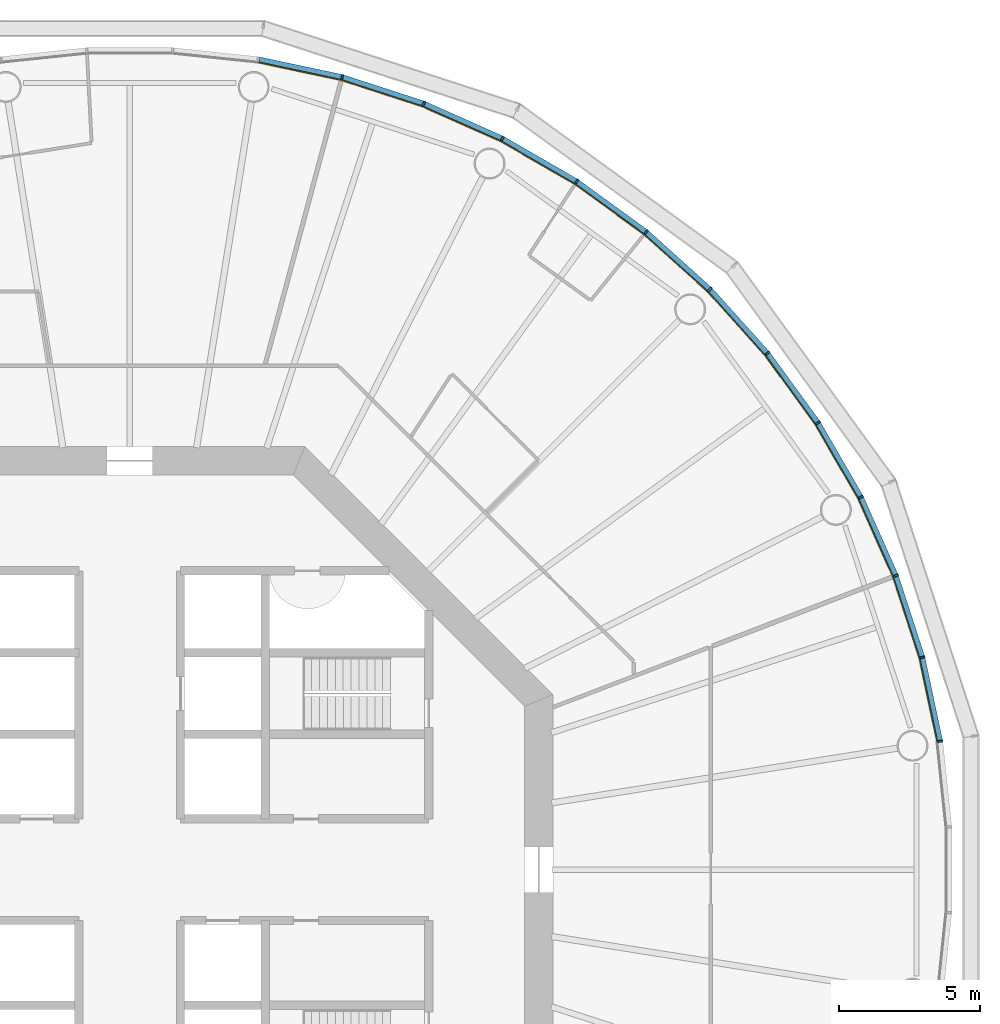
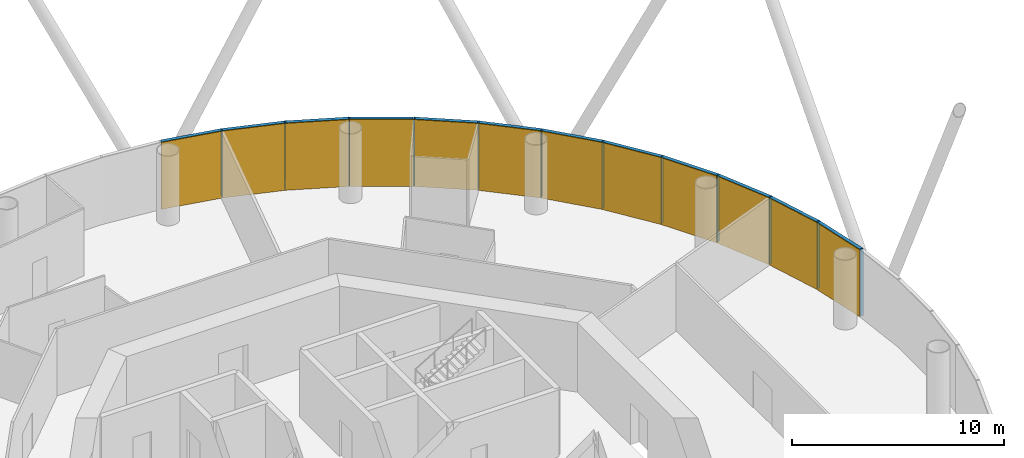
# One storey, part 11 of 12: 24 members, 4 curtain walls.
"""IFC4 building model written with IfcOpenShell, lengths in metres."""

from ifc_helpers import new_model, si_unit, direction, frame, origin, origin_2d, place, context, subcontext, project, spatial, polyline, rectangle, outline, extrude, material, layer, layer_set, material_profile, profile_set, type_object, element, aggregate, save


model = new_model("IFC4")

# Units and contexts
model_context = context("Model", 3, precision=1e-05, world=origin(), true_north=direction((0.0, 1.0)))
body_context = subcontext(model_context, "Body", "Model", "MODEL_VIEW")
ifc_project = project(units=[si_unit("LENGTHUNIT", "METRE"), si_unit("AREAUNIT", "SQUARE_METRE"), si_unit("VOLUMEUNIT", "CUBIC_METRE"), si_unit("PLANEANGLEUNIT", "RADIAN"), si_unit("MASSUNIT", "GRAM", prefix="KILO")], contexts=[model_context])

# Member
ifc_material_1 = material(Name="Anodised aluminium", Category="aluminium")
ifc_material_profile_1 = material_profile(ifc_material_1, rectangle(XDim=0.06494140625, YDim=0.18505859375, at=origin_2d()), Name="Mullion 65 x 185 mm anodised aluminium")
ifc_profile_set_1 = profile_set([ifc_material_profile_1], Name="Anodised aluminium")
member_type_1 = type_object("IfcMemberType", Name="Mullion 65 x 185 mm anodised aluminium", PredefinedType="MULLION", material=ifc_profile_set_1)
site_placement = place(None, origin())
building_placement = place(site_placement, origin())
storey_placement = place(building_placement, frame((0.0, 0.0, 144.0)))
member_1_placement = place(storey_placement, frame((118.734375, 84.551025390625, 0.0), z_axis=(0.0, 0.0, 1.0), x_axis=(-0.15643446504, 0.987688340595, 0.0)))
member_1 = element("IfcMember", 1, at=member_1_placement, type_object=member_type_1, Name="MULLION L32-00", PredefinedType="MULLION", context=body_context, shape_type="SweptSolid", body=[
    extrude(rectangle(XDim=0.06494140625, YDim=0.18505859375, at=origin_2d()), origin(), (0.0, 0.0, 1.0), 3.85009765625),
])

member_2_placement = place(storey_placement, frame((118.101318359375, 87.52978515625, 0.0), z_axis=(0.0, 0.0, 1.0), x_axis=(-0.258819045103, 0.965925826289, 0.0)))
member_2 = element("IfcMember", 2, at=member_2_placement, type_object=member_type_1, Name="MULLION L32-01", PredefinedType="MULLION", context=body_context, shape_type="SweptSolid", body=[
    extrude(rectangle(XDim=0.06494140625, YDim=0.18505859375, at=origin_2d()), origin(), (0.0, 0.0, 1.0), 3.85009765625),
])

member_3_placement = place(storey_placement, frame((117.16015625, 90.42578125, 0.0), z_axis=(0.0, 0.0, 1.0), x_axis=(-0.358367949545, 0.933580426497, 0.0)))
member_3 = element("IfcMember", 3, at=member_3_placement, type_object=member_type_1, Name="MULLION L32-02", PredefinedType="MULLION", context=body_context, shape_type="SweptSolid", body=[
    extrude(rectangle(XDim=0.06494140625, YDim=0.18505859375, at=origin_2d()), origin(), (0.0, 0.0, 1.0), 3.85009765625),
])

member_4_placement = place(storey_placement, frame((115.921630859375, 93.207763671875, 0.0), z_axis=(0.0, 0.0, 1.0), x_axis=(-0.45399049974, 0.891006524188, 0.0)))
member_4 = element("IfcMember", 4, at=member_4_placement, type_object=member_type_1, Name="MULLION L32-03", PredefinedType="MULLION", context=body_context, shape_type="SweptSolid", body=[
    extrude(rectangle(XDim=0.06494140625, YDim=0.18505859375, at=origin_2d()), origin(), (0.0, 0.0, 1.0), 3.85009765625),
])

member_5_placement = place(storey_placement, frame((114.39892578125, 95.844970703125, 0.0), z_axis=(0.0, 0.0, 1.0), x_axis=(-0.544639035015, 0.838670567945, 0.0)))
member_5 = element("IfcMember", 5, at=member_5_placement, type_object=member_type_1, Name="MULLION L32-04", PredefinedType="MULLION", context=body_context, shape_type="SweptSolid", body=[
    extrude(rectangle(XDim=0.06494140625, YDim=0.18505859375, at=origin_2d()), origin(), (0.0, 0.0, 1.0), 3.85009765625),
])

member_6_placement = place(storey_placement, frame((112.609130859375, 98.30859375, 0.0), z_axis=(0.0, 0.0, 1.0), x_axis=(-0.62932039105, 0.777145961457, 0.0)))
member_6 = element("IfcMember", 6, at=member_6_placement, type_object=member_type_1, Name="MULLION L32-05", PredefinedType="MULLION", context=body_context, shape_type="SweptSolid", body=[
    extrude(rectangle(XDim=0.06494140625, YDim=0.18505859375, at=origin_2d()), origin(), (0.0, 0.0, 1.0), 3.85009765625),
])

member_7_placement = place(storey_placement, frame((110.571533203125, 100.571533203125, 0.0), z_axis=(0.0, 0.0, 1.0), x_axis=(-0.707106781187, 0.707106781187, 0.0)))
member_7 = element("IfcMember", 7, at=member_7_placement, type_object=member_type_1, Name="MULLION L32-06", PredefinedType="MULLION", context=body_context, shape_type="SweptSolid", body=[
    extrude(rectangle(XDim=0.06494140625, YDim=0.18505859375, at=origin_2d()), origin(), (0.0, 0.0, 1.0), 3.85009765625),
])

member_8_placement = place(storey_placement, frame((108.30859375, 102.609130859375, 0.0), z_axis=(0.0, 0.0, 1.0), x_axis=(-0.777145961457, 0.62932039105, 0.0)))
member_8 = element("IfcMember", 8, at=member_8_placement, type_object=member_type_1, Name="MULLION L32-07", PredefinedType="MULLION", context=body_context, shape_type="SweptSolid", body=[
    extrude(rectangle(XDim=0.06494140625, YDim=0.18505859375, at=origin_2d()), origin(), (0.0, 0.0, 1.0), 3.85009765625),
])

member_9_placement = place(storey_placement, frame((105.844970703125, 104.39892578125, 0.0), z_axis=(0.0, 0.0, 1.0), x_axis=(-0.838670567945, 0.544639035015, 0.0)))
member_9 = element("IfcMember", 9, at=member_9_placement, type_object=member_type_1, Name="MULLION L32-08", PredefinedType="MULLION", context=body_context, shape_type="SweptSolid", body=[
    extrude(rectangle(XDim=0.06494140625, YDim=0.18505859375, at=origin_2d()), origin(), (0.0, 0.0, 1.0), 3.85009765625),
])

member_10_placement = place(storey_placement, frame((103.207763671875, 105.921630859375, 0.0), z_axis=(0.0, 0.0, 1.0), x_axis=(-0.891006524188, 0.45399049974, 0.0)))
member_10 = element("IfcMember", 10, at=member_10_placement, type_object=member_type_1, Name="MULLION L32-09", PredefinedType="MULLION", context=body_context, shape_type="SweptSolid", body=[
    extrude(rectangle(XDim=0.06494140625, YDim=0.18505859375, at=origin_2d()), origin(), (0.0, 0.0, 1.0), 3.85009765625),
])

member_11_placement = place(storey_placement, frame((100.42578125, 107.16015625, 0.0), z_axis=(0.0, 0.0, 1.0), x_axis=(-0.933580426497, 0.358367949545, 0.0)))
member_11 = element("IfcMember", 11, at=member_11_placement, type_object=member_type_1, Name="MULLION L32-10", PredefinedType="MULLION", context=body_context, shape_type="SweptSolid", body=[
    extrude(rectangle(XDim=0.06494140625, YDim=0.18505859375, at=origin_2d()), origin(), (0.0, 0.0, 1.0), 3.85009765625),
])

member_12_placement = place(storey_placement, frame((97.52978515625, 108.101318359375, 0.0), z_axis=(0.0, 0.0, 1.0), x_axis=(-0.965925826289, 0.258819045103, 0.0)))
member_12 = element("IfcMember", 12, at=member_12_placement, type_object=member_type_1, Name="MULLION L32-11", PredefinedType="MULLION", context=body_context, shape_type="SweptSolid", body=[
    extrude(rectangle(XDim=0.06494140625, YDim=0.18505859375, at=origin_2d()), origin(), (0.0, 0.0, 1.0), 3.85009765625),
])

ifc_material_2 = material(Name="Anodised aluminium", Category="aluminium")
ifc_material_profile_2 = material_profile(ifc_material_2, rectangle(XDim=0.18505859375, YDim=0.175048828125, at=origin_2d()), Name="Transom 175 x 185 mm anodised aluminium")
ifc_profile_set_2 = profile_set([ifc_material_profile_2], Name="Anodised aluminium")
member_type_2 = type_object("IfcMemberType", Name="Transom 175 x 185 mm anodised aluminium", PredefinedType="USERDEFINED", material=ifc_profile_set_2)
member_13_placement = place(storey_placement, frame((118.7265625, 84.587646484375, 3.762451171875), z_axis=(-0.207861704825, 0.97815822425, 0.0), x_axis=(-0.97815822425, -0.207861704825, 0.0)))
member_13 = element("IfcMember", 13, at=member_13_placement, type_object=member_type_2, Name="TRANSOM L32-00", ObjectType="TRANSOM", PredefinedType="USERDEFINED", context=body_context, shape_type="SweptSolid", body=[
    extrude(rectangle(XDim=0.18505859375, YDim=0.175048828125, at=origin_2d()), origin(), (0.0, 0.0, 1.0), 2.970458984375),
])

member_14_placement = place(storey_placement, frame((118.08984375, 87.565185546875, 3.762451171875), z_axis=(-0.30901917063, 0.951055809184, 0.0), x_axis=(-0.951055809184, -0.30901917063, 0.0)))
member_14 = element("IfcMember", 14, at=member_14_placement, type_object=member_type_2, Name="TRANSOM L32-01", ObjectType="TRANSOM", PredefinedType="USERDEFINED", context=body_context, shape_type="SweptSolid", body=[
    extrude(rectangle(XDim=0.18505859375, YDim=0.175048828125, at=origin_2d()), origin(), (0.0, 0.0, 1.0), 2.970703125),
])

member_15_placement = place(storey_placement, frame((117.14501953125, 90.4599609375, 3.762451171875), z_axis=(-0.406687471156, 0.913567348806, 0.0), x_axis=(-0.913567348806, -0.406687471156, 0.0)))
member_15 = element("IfcMember", 15, at=member_15_placement, type_object=member_type_2, Name="TRANSOM L32-02", ObjectType="TRANSOM", PredefinedType="USERDEFINED", context=body_context, shape_type="SweptSolid", body=[
    extrude(rectangle(XDim=0.18505859375, YDim=0.175048828125, at=origin_2d()), origin(), (0.0, 0.0, 1.0), 2.970458984375),
])

member_16_placement = place(storey_placement, frame((115.903076171875, 93.240234375, 3.762451171875), z_axis=(-0.500028367561, 0.866009025146, 0.0), x_axis=(-0.866009025146, -0.500028367561, 0.0)))
member_16 = element("IfcMember", 16, at=member_16_placement, type_object=member_type_2, Name="TRANSOM L32-03", ObjectType="TRANSOM", PredefinedType="USERDEFINED", context=body_context, shape_type="SweptSolid", body=[
    extrude(rectangle(XDim=0.18505859375, YDim=0.175048828125, at=origin_2d()), origin(), (0.0, 0.0, 1.0), 2.970458984375),
])

member_17_placement = place(storey_placement, frame((114.377197265625, 95.875244140625, 3.762451171875), z_axis=(-0.587819781808, 0.808991906087, 0.0), x_axis=(-0.808991906087, -0.587819781808, 0.0)))
member_17 = element("IfcMember", 17, at=member_17_placement, type_object=member_type_2, Name="TRANSOM L32-04", ObjectType="TRANSOM", PredefinedType="USERDEFINED", context=body_context, shape_type="SweptSolid", body=[
    extrude(rectangle(XDim=0.18505859375, YDim=0.175048828125, at=origin_2d()), origin(), (0.0, 0.0, 1.0), 2.970458984375),
])

member_18_placement = place(storey_placement, frame((112.584228515625, 98.33642578125, 3.762451171875), z_axis=(-0.669110027395, 0.743163354343, 0.0), x_axis=(-0.743163354343, -0.669110027395, 0.0)))
member_18 = element("IfcMember", 18, at=member_18_placement, type_object=member_type_2, Name="TRANSOM L32-05", ObjectType="TRANSOM", PredefinedType="USERDEFINED", context=body_context, shape_type="SweptSolid", body=[
    extrude(rectangle(XDim=0.18505859375, YDim=0.175048828125, at=origin_2d()), origin(), (0.0, 0.0, 1.0), 2.970458984375),
])

member_19_placement = place(storey_placement, frame((110.5439453125, 100.5966796875, 3.762451171875), z_axis=(-0.743163354343, 0.669110027395, 0.0), x_axis=(-0.669110027395, -0.743163354343, 0.0)))
member_19 = element("IfcMember", 19, at=member_19_placement, type_object=member_type_2, Name="TRANSOM L32-06", ObjectType="TRANSOM", PredefinedType="USERDEFINED", context=body_context, shape_type="SweptSolid", body=[
    extrude(rectangle(XDim=0.18505859375, YDim=0.175048828125, at=origin_2d()), origin(), (0.0, 0.0, 1.0), 2.970458984375),
])

member_20_placement = place(storey_placement, frame((108.2783203125, 102.631103515625, 3.762451171875), z_axis=(-0.808991906087, 0.587819781808, 0.0), x_axis=(-0.587819781808, -0.808991906087, 0.0)))
member_20 = element("IfcMember", 20, at=member_20_placement, type_object=member_type_2, Name="TRANSOM L32-07", ObjectType="TRANSOM", PredefinedType="USERDEFINED", context=body_context, shape_type="SweptSolid", body=[
    extrude(rectangle(XDim=0.18505859375, YDim=0.175048828125, at=origin_2d()), origin(), (0.0, 0.0, 1.0), 2.970458984375),
])

member_21_placement = place(storey_placement, frame((105.812744140625, 104.417724609375, 3.762451171875), z_axis=(-0.866009025146, 0.500028367561, 0.0), x_axis=(-0.500028367561, -0.866009025146, 0.0)))
member_21 = element("IfcMember", 21, at=member_21_placement, type_object=member_type_2, Name="TRANSOM L32-08", ObjectType="TRANSOM", PredefinedType="USERDEFINED", context=body_context, shape_type="SweptSolid", body=[
    extrude(rectangle(XDim=0.18505859375, YDim=0.175048828125, at=origin_2d()), origin(), (0.0, 0.0, 1.0), 2.970458984375),
])

member_22_placement = place(storey_placement, frame((103.173583984375, 105.93701171875, 3.762451171875), z_axis=(-0.913567348806, 0.406687471156, 0.0), x_axis=(-0.406687471156, -0.913567348806, 0.0)))
member_22 = element("IfcMember", 22, at=member_22_placement, type_object=member_type_2, Name="TRANSOM L32-09", ObjectType="TRANSOM", PredefinedType="USERDEFINED", context=body_context, shape_type="SweptSolid", body=[
    extrude(rectangle(XDim=0.18505859375, YDim=0.175048828125, at=origin_2d()), origin(), (0.0, 0.0, 1.0), 2.970458984375),
])

member_23_placement = place(storey_placement, frame((100.390380859375, 107.171875, 3.762451171875), z_axis=(-0.951055809184, 0.30901917063, 0.0), x_axis=(-0.30901917063, -0.951055809184, 0.0)))
member_23 = element("IfcMember", 23, at=member_23_placement, type_object=member_type_2, Name="TRANSOM L32-10", ObjectType="TRANSOM", PredefinedType="USERDEFINED", context=body_context, shape_type="SweptSolid", body=[
    extrude(rectangle(XDim=0.18505859375, YDim=0.175048828125, at=origin_2d()), origin(), (0.0, 0.0, 1.0), 2.970703125),
])

member_24_placement = place(storey_placement, frame((97.4931640625, 108.109130859375, 3.762451171875), z_axis=(-0.97815822425, 0.207861704825, 0.0), x_axis=(-0.207861704825, -0.97815822425, 0.0)))
member_24 = element("IfcMember", 24, at=member_24_placement, type_object=member_type_2, Name="TRANSOM L32-11", ObjectType="TRANSOM", PredefinedType="USERDEFINED", context=body_context, shape_type="SweptSolid", body=[
    extrude(rectangle(XDim=0.18505859375, YDim=0.175048828125, at=origin_2d()), origin(), (0.0, 0.0, 1.0), 2.970458984375),
])

# Site, building, storey
site = spatial("IfcSite", under=ifc_project, at=site_placement, CompositionType="ELEMENT")
building = spatial("IfcBuilding", under=site, at=building_placement, Name="Entoto Ring Tower", CompositionType="ELEMENT")
storey = spatial("IfcBuildingStorey", under=building, at=storey_placement, Name="L32", CompositionType="ELEMENT", Elevation=144.0)

# Curtain wall
ifc_material_3 = material(Name="Clear low-iron glass", Category="glass")
ifc_layer = layer(ifc_material_3, 0.033935546875)
ifc_layer_set = layer_set([ifc_layer], Name="Clear low-iron glass")
curtain_wall_type = type_object("IfcCurtainWallType", Name="Curtain wall system CW3 glazing 34 mm", PredefinedType="NOTDEFINED", material=ifc_layer_set)
curtain_wall_1_placement = place(storey_placement, origin())
curtain_wall_1 = element("IfcCurtainWall", 25, at=curtain_wall_1_placement, inside=storey, type_object=curtain_wall_type, Name="CW3 L32-01", PredefinedType="NOTDEFINED", context=body_context, shape_type="SweptSolid", body=[
    extrude(outline(polyline([(118.64306640625, 84.53662109375), (118.011962890625, 87.505859375), (117.07373046875, 90.392578125), (115.839111328125, 93.165771484375), (115.808837890625, 93.150146484375), (117.0419921875, 90.38037109375), (117.97900390625, 87.496826171875), (118.609375, 84.53125), (118.64306640625, 84.53662109375)])), origin(), (0.0, 0.0, 1.0), 3.85009765625),
])

aggregate(curtain_wall_1, [member_1, member_2, member_3, member_13, member_14, member_15])

curtain_wall_2_placement = place(storey_placement, origin())
curtain_wall_2 = element("IfcCurtainWall", 26, at=curtain_wall_2_placement, inside=storey, type_object=curtain_wall_type, Name="CW3 L32-02", PredefinedType="NOTDEFINED", context=body_context, shape_type="SweptSolid", body=[
    extrude(outline(polyline([(115.839111328125, 93.165771484375), (114.321533203125, 95.79443359375), (112.537353515625, 98.250244140625), (110.506103515625, 100.506103515625), (110.48193359375, 100.48193359375), (112.5107421875, 98.228759765625), (114.29296875, 95.77587890625), (115.808837890625, 93.150146484375), (115.839111328125, 93.165771484375)])), origin(), (0.0, 0.0, 1.0), 3.85009765625),
])

aggregate(curtain_wall_2, [member_4, member_5, member_6, member_16, member_17, member_18])

curtain_wall_3_placement = place(storey_placement, origin())
curtain_wall_3 = element("IfcCurtainWall", 27, at=curtain_wall_3_placement, inside=storey, type_object=curtain_wall_type, Name="CW3 L32-03", PredefinedType="NOTDEFINED", context=body_context, shape_type="SweptSolid", body=[
    extrude(outline(polyline([(110.506103515625, 100.506103515625), (108.250244140625, 102.537353515625), (105.79443359375, 104.321533203125), (103.165771484375, 105.839111328125), (103.150146484375, 105.808837890625), (105.77587890625, 104.29296875), (108.228759765625, 102.5107421875), (110.48193359375, 100.48193359375), (110.506103515625, 100.506103515625)])), origin(), (0.0, 0.0, 1.0), 3.85009765625),
])

aggregate(curtain_wall_3, [member_7, member_8, member_9, member_19, member_20, member_21])

curtain_wall_4_placement = place(storey_placement, origin())
curtain_wall_4 = element("IfcCurtainWall", 28, at=curtain_wall_4_placement, inside=storey, type_object=curtain_wall_type, Name="CW3 L32-04", PredefinedType="NOTDEFINED", context=body_context, shape_type="SweptSolid", body=[
    extrude(outline(polyline([(103.165771484375, 105.839111328125), (100.392578125, 107.07373046875), (97.505859375, 108.011962890625), (94.53662109375, 108.64306640625), (94.53125, 108.609375), (97.496826171875, 107.97900390625), (100.38037109375, 107.0419921875), (103.150146484375, 105.808837890625), (103.165771484375, 105.839111328125)])), origin(), (0.0, 0.0, 1.0), 3.85009765625),
])

aggregate(curtain_wall_4, [member_10, member_11, member_12, member_22, member_23, member_24])

save(model, "model.ifc")
